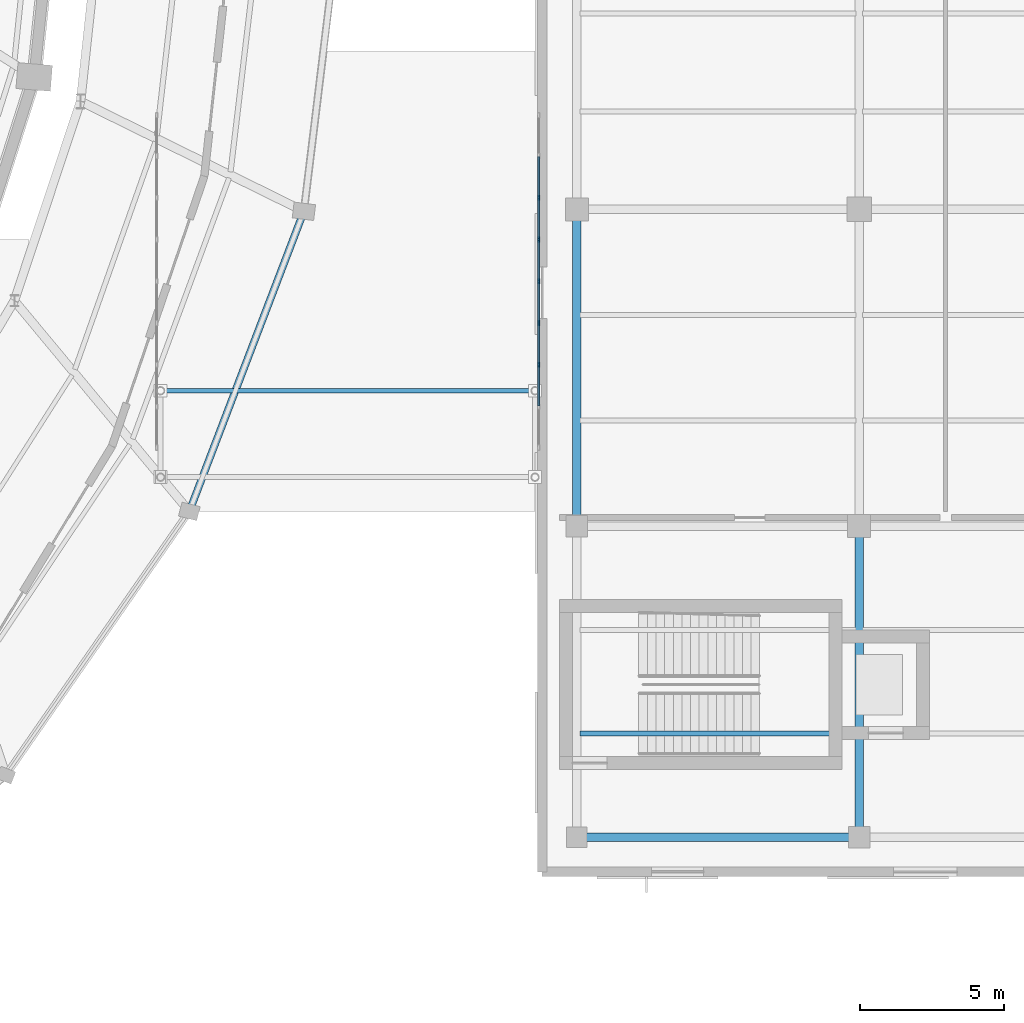
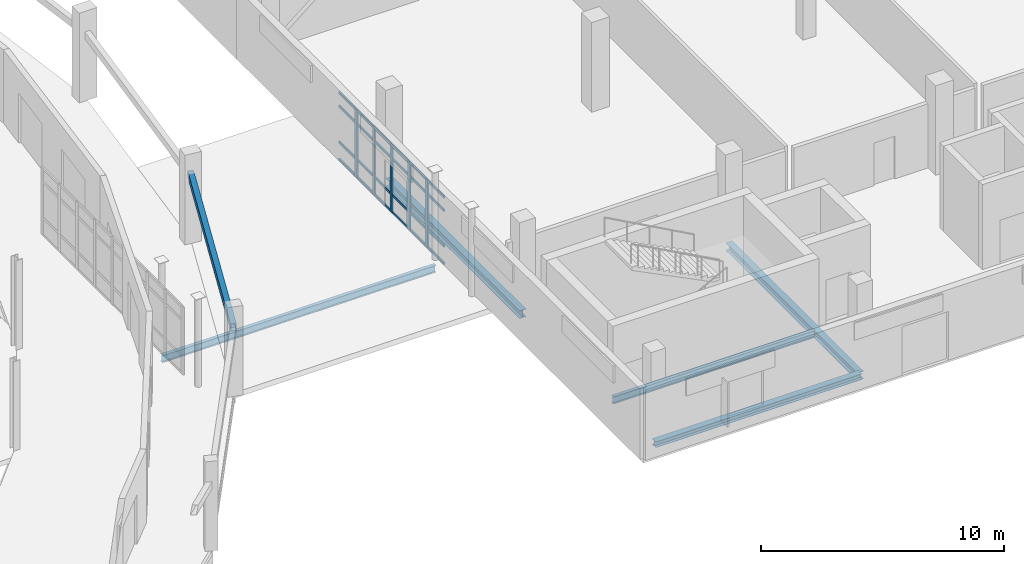
# One storey, part 69 of 122: 29 members, 6 beams, 1 element without a shape of its own.
"""IFC4 building model written with IfcOpenShell, lengths in metres."""

import ifcopenshell
import ifcopenshell.guid

model = None  # the IFC model being written
_history = None  # IfcOwnerHistory: only IFC2X3 demands one
_inside = {}  # id of a spatial element -> (the spatial element, [elements in it])
_under = {}  # id of a project, library or spatial element -> (it, [spatial elements below it])
_declared = {}  # id of a project -> (the project, [libraries it declares])
_typed = {}  # id of a type object -> (the type object, [elements of that type])
_made_of = {}  # id of a material, layer set ... -> (it, [elements and type objects made of it])


def new_model(schema):
    """Start an empty IFC model of exactly this schema.

    Asked for "IFC4X3", IfcOpenShell would pick the latest addendum, in which some entities
    have other attributes; the version numbers below select the first issue.
    IFC2X3 requires an IfcOwnerHistory on every rooted entity: one is made here for all.
    """
    global model, _history
    if schema == "IFC4X3":
        model = ifcopenshell.file(schema_version=(4, 3, 0, 0))
    else:
        model = ifcopenshell.file(schema=schema)
    _inside.clear()
    _under.clear()
    _declared.clear()
    _typed.clear()
    _made_of.clear()
    _history = None
    if model.schema == "IFC2X3":
        org = make("IfcOrganization", Name="unknown")
        user = make(
            "IfcPersonAndOrganization",
            ThePerson=make("IfcPerson", FamilyName="unknown"),
            TheOrganization=org,
        )
        app = make(
            "IfcApplication",
            ApplicationDeveloper=org,
            Version="unknown",
            ApplicationFullName="unknown",
            ApplicationIdentifier="unknown",
        )
        _history = make(
            "IfcOwnerHistory",
            OwningUser=user,
            OwningApplication=app,
            ChangeAction="ADDED",
            CreationDate=0,
        )
    return model


def make(cls, **values):
    """One entity of the class cls with the attributes given. An attribute that is None is left unset."""
    return model.create_entity(
        cls, **{name: value for name, value in values.items() if value is not None}
    )


def rooted(cls, **values):
    """An entity with a GlobalId (a new one), such as an element, a storey or a relation."""
    return make(cls, GlobalId=ifcopenshell.guid.new(), OwnerHistory=_history, **values)


def si_unit(unit_type, name, prefix=None):
    """IfcSIUnit, for example si_unit("LENGTHUNIT", "METRE", prefix="MILLI")."""
    return make("IfcSIUnit", UnitType=unit_type, Prefix=prefix, Name=name)


def assignment(units):
    """IfcUnitAssignment: the units of a project."""
    return None if units is None else make("IfcUnitAssignment", Units=units)


def point(xyz):
    """IfcCartesianPoint."""
    return None if xyz is None else make("IfcCartesianPoint", Coordinates=xyz)


def direction(xyz):
    """IfcDirection."""
    return None if xyz is None else make("IfcDirection", DirectionRatios=xyz)


def frame(location, z_axis=None, x_axis=None):
    """IfcAxis2Placement3D, a coordinate frame: its origin and axes. An axis left out is left unset."""
    return make(
        "IfcAxis2Placement3D",
        Location=point(location),
        Axis=direction(z_axis),
        RefDirection=direction(x_axis),
    )


def frame_2d(location, x_axis=None):
    """IfcAxis2Placement2D, a coordinate frame in the plane: its origin and x axis."""
    return make(
        "IfcAxis2Placement2D", Location=point(location), RefDirection=direction(x_axis)
    )


def origin():
    """The frame at (0, 0, 0) with its axes left unset."""
    return frame((0.0, 0.0, 0.0))


def origin_2d():
    """The frame at (0, 0) in the plane with its x axis left unset."""
    return frame_2d((0.0, 0.0))


def place(relative_to, where):
    """IfcLocalPlacement: puts the frame where relative to a parent placement (None: the world)."""
    return make(
        "IfcLocalPlacement", PlacementRelTo=relative_to, RelativePlacement=where
    )


def context(
    kind, dimensions, precision=None, world=None, true_north=None, identifier=None
):
    """IfcGeometricRepresentationContext, for example the 3D "Model" context."""
    return make(
        "IfcGeometricRepresentationContext",
        ContextIdentifier=identifier,
        ContextType=kind,
        CoordinateSpaceDimension=dimensions,
        Precision=precision,
        WorldCoordinateSystem=world,
        TrueNorth=true_north,
    )


def subcontext(parent, identifier, kind, view, scale=None):
    """IfcGeometricRepresentationSubContext, for example "Body" below "Model"."""
    return make(
        "IfcGeometricRepresentationSubContext",
        ContextIdentifier=identifier,
        ContextType=kind,
        ParentContext=parent,
        TargetScale=scale,
        TargetView=view,
    )


def project(units=None, contexts=None):
    """IfcProject with its units and contexts."""
    return rooted(
        "IfcProject",
        Name="project",
        RepresentationContexts=contexts,
        UnitsInContext=assignment(units),
    )


def spatial(cls, under=None, at=None, **own):
    """A site, building, storey or space (cls), placed at a placement, below another one or the project."""
    s = rooted(cls, ObjectPlacement=at, **own)
    if under is not None:
        _under.setdefault(under.id(), (under, []))[1].append(s)
    return s


def profile(cls, at=None, kind="AREA", **sizes):
    """A parametric profile (cls). Its sizes go by their IFC names, for example OverallWidth=200.0."""
    return make(cls, ProfileType=kind, Position=at, **sizes)


def rectangle(**sizes):
    """IfcRectangleProfileDef."""
    return profile("IfcRectangleProfileDef", **sizes)


def hollow_rectangle(**sizes):
    """IfcRectangleHollowProfileDef."""
    return profile("IfcRectangleHollowProfileDef", **sizes)


def i_section(**sizes):
    """IfcIShapeProfileDef."""
    return profile("IfcIShapeProfileDef", **sizes)


def extrude(swept, where, along, depth):
    """IfcExtrudedAreaSolid: the profile swept, set in the frame where, extruded along a direction by depth."""
    return make(
        "IfcExtrudedAreaSolid",
        SweptArea=swept,
        Position=where,
        ExtrudedDirection=direction(along),
        Depth=depth,
    )


def shape(context_of_items, identifier, shape_type, items):
    """IfcShapeRepresentation: the items that make up one representation, for example the "Body"."""
    return make(
        "IfcShapeRepresentation",
        ContextOfItems=context_of_items,
        RepresentationIdentifier=identifier,
        RepresentationType=shape_type,
        Items=items,
    )


def material(Name=None, Category=None):
    """IfcMaterial."""
    return make("IfcMaterial", Name=Name, Category=Category)


def layer(
    of_material, thickness, ventilated=None, Name=None, Category=None, Priority=None
):
    """IfcMaterialLayer: one layer of a wall or slab, of a material (None: an air gap)."""
    return make(
        "IfcMaterialLayer",
        Material=of_material,
        LayerThickness=thickness,
        IsVentilated=ventilated,
        Name=Name,
        Category=Category,
        Priority=Priority,
    )


def layer_set(layers, Name=None):
    """IfcMaterialLayerSet."""
    return make("IfcMaterialLayerSet", MaterialLayers=layers, LayerSetName=Name)


def material_profile(
    of_material, cross_section, Name=None, Category=None, Priority=None
):
    """IfcMaterialProfile: a cross section and its material."""
    return make(
        "IfcMaterialProfile",
        Name=Name,
        Material=of_material,
        Profile=cross_section,
        Priority=Priority,
        Category=Category,
    )


def profile_set(profiles, Name=None, composite=None):
    """IfcMaterialProfileSet."""
    return make(
        "IfcMaterialProfileSet",
        Name=Name,
        MaterialProfiles=profiles,
        CompositeProfile=composite,
    )


def made_of(thing, what):
    """Note that an element or type object is made of a material, layer set ...; save() writes the relation."""
    if what is not None:
        _made_of.setdefault(what.id(), (what, []))[1].append(thing)
    return thing


def type_object(cls, material=None, **own):
    """A type object (cls), such as IfcWallType, which elements share."""
    return made_of(rooted(cls, **own), material)


def element(
    cls,
    number,
    at=None,
    inside=None,
    cuts=None,
    type_object=None,
    material=None,
    context=None,
    identifier="Body",
    shape_type=None,
    held_by="IfcProductDefinitionShape",
    body=None,
    shapes=None,
    **own,
):
    """One element of the class cls, such as IfcWall. Its Tag is "e" and its number.

    at: its placement. inside: the storey or other place that contains it. cuts: it is an
    opening in that element (IfcRelVoidsElement). A single representation is given by context,
    identifier, shape_type and body (its items); several are given by shapes. held_by: the class
    of the entity that holds the representations. save() writes the other relations.
    """
    e = rooted(cls, Tag="e%d" % number, ObjectPlacement=at, **own)
    if body is not None:
        shapes = [shape(context, identifier, shape_type, body)]
    if shapes is not None:
        e.Representation = make(held_by, Representations=shapes)
    if inside is not None:
        _inside.setdefault(inside.id(), (inside, []))[1].append(e)
    if cuts is not None:
        rooted(
            "IfcRelVoidsElement", RelatingBuildingElement=cuts, RelatedOpeningElement=e
        )
    if type_object is not None:
        _typed.setdefault(type_object.id(), (type_object, []))[1].append(e)
    return made_of(e, material)


def aggregate(whole, parts):
    """IfcRelAggregates: a whole, such as a stair, and the parts it consists of."""
    return rooted("IfcRelAggregates", RelatingObject=whole, RelatedObjects=parts)


def save(model, path):
    """Write the relations noted so far, then the file.

    IfcRelAggregates (storeys below a building ...), IfcRelContainedInSpatialStructure (elements
    in a storey), IfcRelDefinesByType, IfcRelAssociatesMaterial and IfcRelDeclares: one each for
    every whole, place, type object, material and project.
    """
    for whole, parts in _under.values():
        aggregate(whole, parts)
    for where, things in _inside.values():
        rooted(
            "IfcRelContainedInSpatialStructure",
            RelatedElements=things,
            RelatingStructure=where,
        )
    for kind, things in _typed.values():
        rooted("IfcRelDefinesByType", RelatedObjects=things, RelatingType=kind)
    for what, things in _made_of.values():
        rooted("IfcRelAssociatesMaterial", RelatedObjects=things, RelatingMaterial=what)
    for by, libraries in _declared.values():
        rooted("IfcRelDeclares", RelatingContext=by, RelatedDefinitions=libraries)
    model.write(path)


model = new_model("IFC4")

# Units and contexts
model_context = context("Model", 3, precision=1e-05, world=origin(), true_north=direction((0.0, 1.0)))
body_context = subcontext(model_context, "Body", "Model", "MODEL_VIEW")
ifc_project = project(units=[si_unit("LENGTHUNIT", "METRE"), si_unit("AREAUNIT", "SQUARE_METRE"), si_unit("VOLUMEUNIT", "CUBIC_METRE"), si_unit("PLANEANGLEUNIT", "RADIAN"), si_unit("MASSUNIT", "GRAM", prefix="KILO")], contexts=[model_context])

# Site, building, storey
site_placement = place(None, origin())
site = spatial("IfcSite", under=ifc_project, at=site_placement, CompositionType="ELEMENT")
building_placement = place(site_placement, origin())
building = spatial("IfcBuilding", under=site, at=building_placement, Name="Sohan Crest Arena", CompositionType="ELEMENT")
storey_placement = place(building_placement, origin())
storey = spatial("IfcBuildingStorey", under=building, at=storey_placement, Name="L00", CompositionType="ELEMENT", Elevation=0.0)

# Curtain wall, members
ifc_material_1 = material(Name="Thermally broken anodised aluminium", Category="aluminium")
ifc_layer = layer(ifc_material_1, 0.18994140625, Name="Thermally broken anodised aluminium")
ifc_layer_set = layer_set([ifc_layer], Name="Thermally broken anodised aluminium")
curtain_wall_type = type_object("IfcCurtainWallType", Name="ARC-CW05", PredefinedType="NOTDEFINED", material=ifc_layer_set)
curtain_wall_placement = place(storey_placement, origin())
curtain_wall = element("IfcCurtainWall", 1, at=curtain_wall_placement, inside=storey, type_object=curtain_wall_type, Name="Unitised curtain wall CW-240", PredefinedType="NOTDEFINED")
ifc_material_profile_1 = material_profile(ifc_material_1, rectangle(XDim=0.06494140625, YDim=0.179931640625, at=origin_2d()), Name="ALU-MULL 65x180")
ifc_profile_set_1 = profile_set([ifc_material_profile_1], Name="Thermally broken anodised aluminium")
member_type_1 = type_object("IfcMemberType", Name="ARC-CW-ML02", PredefinedType="MULLION", material=ifc_profile_set_1)
member_1_placement = place(storey_placement, frame((194.8798828125, 61.60009765625, 0.0), z_axis=(0.0, 0.0, 1.0), x_axis=(-1.0, 0.0, 0.0)))
member_1 = element("IfcMember", 2, at=member_1_placement, type_object=member_type_1, Name="CW-240 mullion 3", PredefinedType="MULLION", context=body_context, shape_type="SweptSolid", body=[
    extrude(rectangle(XDim=0.06494140625, YDim=0.179931640625, at=origin_2d()), origin(), (0.0, 0.0, 1.0), 3.39990234375),
])
member_2_placement = place(storey_placement, frame((194.8798828125, 63.050048828125, 0.0), z_axis=(0.0, 0.0, 1.0), x_axis=(-1.0, 0.0, 0.0)))
member_2 = element("IfcMember", 3, at=member_2_placement, type_object=member_type_1, Name="CW-240 mullion 4", PredefinedType="MULLION", context=body_context, shape_type="SweptSolid", body=[
    extrude(rectangle(XDim=0.06494140625, YDim=0.179931640625, at=origin_2d()), origin(), (0.0, 0.0, 1.0), 3.39990234375),
])
member_3_placement = place(storey_placement, frame((194.8798828125, 64.5, 0.0), z_axis=(0.0, 0.0, 1.0), x_axis=(-1.0, 0.0, 0.0)))
member_3 = element("IfcMember", 4, at=member_3_placement, type_object=member_type_1, Name="CW-240 mullion 5", PredefinedType="MULLION", context=body_context, shape_type="SweptSolid", body=[
    extrude(rectangle(XDim=0.06494140625, YDim=0.179931640625, at=origin_2d()), origin(), (0.0, 0.0, 1.0), 3.39990234375),
])
member_4_placement = place(storey_placement, frame((194.8798828125, 65.949951171875, 0.0), z_axis=(0.0, 0.0, 1.0), x_axis=(-1.0, 0.0, 0.0)))
member_4 = element("IfcMember", 5, at=member_4_placement, type_object=member_type_1, Name="CW-240 mullion 6", PredefinedType="MULLION", context=body_context, shape_type="SweptSolid", body=[
    extrude(rectangle(XDim=0.06494140625, YDim=0.179931640625, at=origin_2d()), origin(), (0.0, 0.0, 1.0), 3.39990234375),
])
member_5_placement = place(storey_placement, frame((194.8798828125, 67.39990234375, 0.0), z_axis=(0.0, 0.0, 1.0), x_axis=(-1.0, 0.0, 0.0)))
member_5 = element("IfcMember", 6, at=member_5_placement, type_object=member_type_1, Name="CW-240 mullion 7", PredefinedType="MULLION", context=body_context, shape_type="SweptSolid", body=[
    extrude(rectangle(XDim=0.06494140625, YDim=0.179931640625, at=origin_2d()), origin(), (0.0, 0.0, 1.0), 3.39990234375),
])
ifc_material_profile_2 = material_profile(ifc_material_1, rectangle(XDim=0.06005859375, YDim=0.1201171875, at=origin_2d()), Name="ALU-TRAN 60x120")
ifc_profile_set_2 = profile_set([ifc_material_profile_2], Name="Thermally broken anodised aluminium")
member_type_2 = type_object("IfcMemberType", Name="ARC-CW-TR01", PredefinedType="USERDEFINED", material=ifc_profile_set_2)
member_6_placement = place(storey_placement, frame((194.8798828125, 60.1826171875, 0.030029296875), z_axis=(0.0, 1.0, 0.0), x_axis=(-1.0, 0.0, 0.0)))
member_6 = element("IfcMember", 7, at=member_6_placement, type_object=member_type_2, Name="CW-240 transom 2.1", ObjectType="TRANSOM", PredefinedType="USERDEFINED", context=body_context, shape_type="SweptSolid", body=[
    extrude(rectangle(XDim=0.06005859375, YDim=0.1201171875, at=origin_2d()), origin(), (0.0, 0.0, 1.0), 1.384765625),
])
member_7_placement = place(storey_placement, frame((194.8798828125, 60.1826171875, 0.89990234375), z_axis=(0.0, 1.0, 0.0), x_axis=(-1.0, 0.0, 0.0)))
member_7 = element("IfcMember", 8, at=member_7_placement, type_object=member_type_2, Name="CW-240 transom 2.2", ObjectType="TRANSOM", PredefinedType="USERDEFINED", context=body_context, shape_type="SweptSolid", body=[
    extrude(rectangle(XDim=0.06005859375, YDim=0.1201171875, at=origin_2d()), origin(), (0.0, 0.0, 1.0), 1.384765625),
])
member_8_placement = place(storey_placement, frame((194.8798828125, 60.1826171875, 2.699951171875), z_axis=(0.0, 1.0, 0.0), x_axis=(-1.0, 0.0, 0.0)))
member_8 = element("IfcMember", 9, at=member_8_placement, type_object=member_type_2, Name="CW-240 transom 2.3", ObjectType="TRANSOM", PredefinedType="USERDEFINED", context=body_context, shape_type="SweptSolid", body=[
    extrude(rectangle(XDim=0.06005859375, YDim=0.1201171875, at=origin_2d()), origin(), (0.0, 0.0, 1.0), 1.384765625),
])
member_9_placement = place(storey_placement, frame((194.8798828125, 60.1826171875, 3.3701171875), z_axis=(0.0, 1.0, 0.0), x_axis=(-1.0, 0.0, 0.0)))
member_9 = element("IfcMember", 10, at=member_9_placement, type_object=member_type_2, Name="CW-240 transom 2.4", ObjectType="TRANSOM", PredefinedType="USERDEFINED", context=body_context, shape_type="SweptSolid", body=[
    extrude(rectangle(XDim=0.06005859375, YDim=0.1201171875, at=origin_2d()), origin(), (0.0, 0.0, 1.0), 1.384765625),
])
member_10_placement = place(storey_placement, frame((194.8798828125, 61.632568359375, 0.030029296875), z_axis=(0.0, 1.0, 0.0), x_axis=(-1.0, 0.0, 0.0)))
member_10 = element("IfcMember", 11, at=member_10_placement, type_object=member_type_2, Name="CW-240 transom 3.1", ObjectType="TRANSOM", PredefinedType="USERDEFINED", context=body_context, shape_type="SweptSolid", body=[
    extrude(rectangle(XDim=0.06005859375, YDim=0.1201171875, at=origin_2d()), origin(), (0.0, 0.0, 1.0), 1.385009765625),
])
member_11_placement = place(storey_placement, frame((194.8798828125, 61.632568359375, 0.89990234375), z_axis=(0.0, 1.0, 0.0), x_axis=(-1.0, 0.0, 0.0)))
member_11 = element("IfcMember", 12, at=member_11_placement, type_object=member_type_2, Name="CW-240 transom 3.2", ObjectType="TRANSOM", PredefinedType="USERDEFINED", context=body_context, shape_type="SweptSolid", body=[
    extrude(rectangle(XDim=0.06005859375, YDim=0.1201171875, at=origin_2d()), origin(), (0.0, 0.0, 1.0), 1.385009765625),
])
member_12_placement = place(storey_placement, frame((194.8798828125, 61.632568359375, 2.699951171875), z_axis=(0.0, 1.0, 0.0), x_axis=(-1.0, 0.0, 0.0)))
member_12 = element("IfcMember", 13, at=member_12_placement, type_object=member_type_2, Name="CW-240 transom 3.3", ObjectType="TRANSOM", PredefinedType="USERDEFINED", context=body_context, shape_type="SweptSolid", body=[
    extrude(rectangle(XDim=0.06005859375, YDim=0.1201171875, at=origin_2d()), origin(), (0.0, 0.0, 1.0), 1.385009765625),
])
member_13_placement = place(storey_placement, frame((194.8798828125, 61.632568359375, 3.3701171875), z_axis=(0.0, 1.0, 0.0), x_axis=(-1.0, 0.0, 0.0)))
member_13 = element("IfcMember", 14, at=member_13_placement, type_object=member_type_2, Name="CW-240 transom 3.4", ObjectType="TRANSOM", PredefinedType="USERDEFINED", context=body_context, shape_type="SweptSolid", body=[
    extrude(rectangle(XDim=0.06005859375, YDim=0.1201171875, at=origin_2d()), origin(), (0.0, 0.0, 1.0), 1.385009765625),
])
member_14_placement = place(storey_placement, frame((194.8798828125, 63.08251953125, 0.030029296875), z_axis=(0.0, 1.0, 0.0), x_axis=(-1.0, 0.0, 0.0)))
member_14 = element("IfcMember", 15, at=member_14_placement, type_object=member_type_2, Name="CW-240 transom 4.1", ObjectType="TRANSOM", PredefinedType="USERDEFINED", context=body_context, shape_type="SweptSolid", body=[
    extrude(rectangle(XDim=0.06005859375, YDim=0.1201171875, at=origin_2d()), origin(), (0.0, 0.0, 1.0), 1.385009765625),
])
member_15_placement = place(storey_placement, frame((194.8798828125, 63.08251953125, 0.89990234375), z_axis=(0.0, 1.0, 0.0), x_axis=(-1.0, 0.0, 0.0)))
member_15 = element("IfcMember", 16, at=member_15_placement, type_object=member_type_2, Name="CW-240 transom 4.2", ObjectType="TRANSOM", PredefinedType="USERDEFINED", context=body_context, shape_type="SweptSolid", body=[
    extrude(rectangle(XDim=0.06005859375, YDim=0.1201171875, at=origin_2d()), origin(), (0.0, 0.0, 1.0), 1.385009765625),
])
member_16_placement = place(storey_placement, frame((194.8798828125, 63.08251953125, 2.699951171875), z_axis=(0.0, 1.0, 0.0), x_axis=(-1.0, 0.0, 0.0)))
member_16 = element("IfcMember", 17, at=member_16_placement, type_object=member_type_2, Name="CW-240 transom 4.3", ObjectType="TRANSOM", PredefinedType="USERDEFINED", context=body_context, shape_type="SweptSolid", body=[
    extrude(rectangle(XDim=0.06005859375, YDim=0.1201171875, at=origin_2d()), origin(), (0.0, 0.0, 1.0), 1.385009765625),
])
member_17_placement = place(storey_placement, frame((194.8798828125, 63.08251953125, 3.3701171875), z_axis=(0.0, 1.0, 0.0), x_axis=(-1.0, 0.0, 0.0)))
member_17 = element("IfcMember", 18, at=member_17_placement, type_object=member_type_2, Name="CW-240 transom 4.4", ObjectType="TRANSOM", PredefinedType="USERDEFINED", context=body_context, shape_type="SweptSolid", body=[
    extrude(rectangle(XDim=0.06005859375, YDim=0.1201171875, at=origin_2d()), origin(), (0.0, 0.0, 1.0), 1.385009765625),
])
member_18_placement = place(storey_placement, frame((194.8798828125, 64.532470703125, 0.030029296875), z_axis=(0.0, 1.0, 0.0), x_axis=(-1.0, 0.0, 0.0)))
member_18 = element("IfcMember", 19, at=member_18_placement, type_object=member_type_2, Name="CW-240 transom 5.1", ObjectType="TRANSOM", PredefinedType="USERDEFINED", context=body_context, shape_type="SweptSolid", body=[
    extrude(rectangle(XDim=0.06005859375, YDim=0.1201171875, at=origin_2d()), origin(), (0.0, 0.0, 1.0), 1.385009765625),
])
member_19_placement = place(storey_placement, frame((194.8798828125, 64.532470703125, 0.89990234375), z_axis=(0.0, 1.0, 0.0), x_axis=(-1.0, 0.0, 0.0)))
member_19 = element("IfcMember", 20, at=member_19_placement, type_object=member_type_2, Name="CW-240 transom 5.2", ObjectType="TRANSOM", PredefinedType="USERDEFINED", context=body_context, shape_type="SweptSolid", body=[
    extrude(rectangle(XDim=0.06005859375, YDim=0.1201171875, at=origin_2d()), origin(), (0.0, 0.0, 1.0), 1.385009765625),
])
member_20_placement = place(storey_placement, frame((194.8798828125, 64.532470703125, 2.699951171875), z_axis=(0.0, 1.0, 0.0), x_axis=(-1.0, 0.0, 0.0)))
member_20 = element("IfcMember", 21, at=member_20_placement, type_object=member_type_2, Name="CW-240 transom 5.3", ObjectType="TRANSOM", PredefinedType="USERDEFINED", context=body_context, shape_type="SweptSolid", body=[
    extrude(rectangle(XDim=0.06005859375, YDim=0.1201171875, at=origin_2d()), origin(), (0.0, 0.0, 1.0), 1.385009765625),
])
member_21_placement = place(storey_placement, frame((194.8798828125, 64.532470703125, 3.3701171875), z_axis=(0.0, 1.0, 0.0), x_axis=(-1.0, 0.0, 0.0)))
member_21 = element("IfcMember", 22, at=member_21_placement, type_object=member_type_2, Name="CW-240 transom 5.4", ObjectType="TRANSOM", PredefinedType="USERDEFINED", context=body_context, shape_type="SweptSolid", body=[
    extrude(rectangle(XDim=0.06005859375, YDim=0.1201171875, at=origin_2d()), origin(), (0.0, 0.0, 1.0), 1.385009765625),
])
member_22_placement = place(storey_placement, frame((194.8798828125, 65.982421875, 0.030029296875), z_axis=(0.0, 1.0, 0.0), x_axis=(-1.0, 0.0, 0.0)))
member_22 = element("IfcMember", 23, at=member_22_placement, type_object=member_type_2, Name="CW-240 transom 6.1", ObjectType="TRANSOM", PredefinedType="USERDEFINED", context=body_context, shape_type="SweptSolid", body=[
    extrude(rectangle(XDim=0.06005859375, YDim=0.1201171875, at=origin_2d()), origin(), (0.0, 0.0, 1.0), 1.385009765625),
])
member_23_placement = place(storey_placement, frame((194.8798828125, 65.982421875, 0.89990234375), z_axis=(0.0, 1.0, 0.0), x_axis=(-1.0, 0.0, 0.0)))
member_23 = element("IfcMember", 24, at=member_23_placement, type_object=member_type_2, Name="CW-240 transom 6.2", ObjectType="TRANSOM", PredefinedType="USERDEFINED", context=body_context, shape_type="SweptSolid", body=[
    extrude(rectangle(XDim=0.06005859375, YDim=0.1201171875, at=origin_2d()), origin(), (0.0, 0.0, 1.0), 1.385009765625),
])
member_24_placement = place(storey_placement, frame((194.8798828125, 65.982421875, 2.699951171875), z_axis=(0.0, 1.0, 0.0), x_axis=(-1.0, 0.0, 0.0)))
member_24 = element("IfcMember", 25, at=member_24_placement, type_object=member_type_2, Name="CW-240 transom 6.3", ObjectType="TRANSOM", PredefinedType="USERDEFINED", context=body_context, shape_type="SweptSolid", body=[
    extrude(rectangle(XDim=0.06005859375, YDim=0.1201171875, at=origin_2d()), origin(), (0.0, 0.0, 1.0), 1.385009765625),
])
member_25_placement = place(storey_placement, frame((194.8798828125, 65.982421875, 3.3701171875), z_axis=(0.0, 1.0, 0.0), x_axis=(-1.0, 0.0, 0.0)))
member_25 = element("IfcMember", 26, at=member_25_placement, type_object=member_type_2, Name="CW-240 transom 6.4", ObjectType="TRANSOM", PredefinedType="USERDEFINED", context=body_context, shape_type="SweptSolid", body=[
    extrude(rectangle(XDim=0.06005859375, YDim=0.1201171875, at=origin_2d()), origin(), (0.0, 0.0, 1.0), 1.385009765625),
])
member_26_placement = place(storey_placement, frame((194.8798828125, 67.4326171875, 0.030029296875), z_axis=(0.0, 1.0, 0.0), x_axis=(-1.0, 0.0, 0.0)))
member_26 = element("IfcMember", 27, at=member_26_placement, type_object=member_type_2, Name="CW-240 transom 7.1", ObjectType="TRANSOM", PredefinedType="USERDEFINED", context=body_context, shape_type="SweptSolid", body=[
    extrude(rectangle(XDim=0.06005859375, YDim=0.1201171875, at=origin_2d()), origin(), (0.0, 0.0, 1.0), 1.384765625),
])
member_27_placement = place(storey_placement, frame((194.8798828125, 67.4326171875, 0.89990234375), z_axis=(0.0, 1.0, 0.0), x_axis=(-1.0, 0.0, 0.0)))
member_27 = element("IfcMember", 28, at=member_27_placement, type_object=member_type_2, Name="CW-240 transom 7.2", ObjectType="TRANSOM", PredefinedType="USERDEFINED", context=body_context, shape_type="SweptSolid", body=[
    extrude(rectangle(XDim=0.06005859375, YDim=0.1201171875, at=origin_2d()), origin(), (0.0, 0.0, 1.0), 1.384765625),
])
member_28_placement = place(storey_placement, frame((194.8798828125, 67.4326171875, 2.699951171875), z_axis=(0.0, 1.0, 0.0), x_axis=(-1.0, 0.0, 0.0)))
member_28 = element("IfcMember", 29, at=member_28_placement, type_object=member_type_2, Name="CW-240 transom 7.3", ObjectType="TRANSOM", PredefinedType="USERDEFINED", context=body_context, shape_type="SweptSolid", body=[
    extrude(rectangle(XDim=0.06005859375, YDim=0.1201171875, at=origin_2d()), origin(), (0.0, 0.0, 1.0), 1.384765625),
])
member_29_placement = place(storey_placement, frame((194.8798828125, 67.4326171875, 3.3701171875), z_axis=(0.0, 1.0, 0.0), x_axis=(-1.0, 0.0, 0.0)))
member_29 = element("IfcMember", 30, at=member_29_placement, type_object=member_type_2, Name="CW-240 transom 7.4", ObjectType="TRANSOM", PredefinedType="USERDEFINED", context=body_context, shape_type="SweptSolid", body=[
    extrude(rectangle(XDim=0.06005859375, YDim=0.1201171875, at=origin_2d()), origin(), (0.0, 0.0, 1.0), 1.384765625),
])
aggregate(curtain_wall, [member_1, member_2, member_3, member_4, member_5, member_6, member_7, member_8, member_9, member_10, member_11, member_12, member_13, member_14, member_15, member_16, member_17, member_18, member_19, member_20, member_21, member_22, member_23, member_24, member_25, member_26, member_27, member_28, member_29])

# Beams
ifc_material_2 = material(Name="Steel S355", Category="steel")
ifc_material_profile_3 = material_profile(ifc_material_2, i_section(OverallWidth=0.169921875, OverallDepth=0.360107421875, WebThickness=0.008056640625, FlangeThickness=0.0126953125, at=origin_2d()), Name="IPE 360")
ifc_profile_set_3 = profile_set([ifc_material_profile_3], Name="Steel S355")
beam_type_1 = type_object("IfcBeamType", Name="STR-BM-B02", PredefinedType="JOIST", material=ifc_profile_set_3)
beam_1_placement = place(storey_placement, frame((196.31005859375, 48.800048828125, -0.409912109375), z_axis=(1.0, 0.0, 0.0), x_axis=(0.0, 1.0, 0.0)))
element("IfcBeam", 31, at=beam_1_placement, inside=storey, type_object=beam_type_1, Name="Structural beam J-L00-2208", PredefinedType="JOIST", context=body_context, shape_type="SweptSolid", body=[
    extrude(i_section(OverallWidth=0.169921875, OverallDepth=0.360107421875, WebThickness=0.008056640625, FlangeThickness=0.0126953125, at=origin_2d()), origin(), (0.0, 0.0, 1.0), 9.579833984375),
])
beam_2_placement = place(storey_placement, frame((181.75, 60.699951171875, -0.455078125), z_axis=(1.0, 0.0, 0.0), x_axis=(0.0, 1.0, 0.0)))
element("IfcBeam", 32, at=beam_2_placement, inside=storey, type_object=beam_type_1, Name="Structural beam BG-L00-2963", PredefinedType="JOIST", context=body_context, shape_type="SweptSolid", body=[
    extrude(i_section(OverallWidth=0.169921875, OverallDepth=0.360107421875, WebThickness=0.008056640625, FlangeThickness=0.0126953125, at=origin_2d()), origin(), (0.0, 0.0, 1.0), 13.0),
])
ifc_material_profile_4 = material_profile(ifc_material_2, i_section(OverallWidth=0.300048828125, OverallDepth=0.2900390625, WebThickness=0.008544921875, FlangeThickness=0.013916015625, at=origin_2d()), Name="HEA 300")
ifc_profile_set_4 = profile_set([ifc_material_profile_4], Name="Steel S355")
beam_type_2 = type_object("IfcBeamType", Name="STR-BM-B08", PredefinedType="BEAM", material=ifc_profile_set_4)
beam_3_placement = place(storey_placement, frame((196.199951171875, 45.199951171875, -0.375), z_axis=(1.0, 0.0, 0.0), x_axis=(0.0, 1.0, 0.0)))
element("IfcBeam", 33, at=beam_3_placement, inside=storey, type_object=beam_type_2, Name="Structural beam G-L00-2207", PredefinedType="BEAM", context=body_context, shape_type="SweptSolid", body=[
    extrude(i_section(OverallWidth=0.300048828125, OverallDepth=0.2900390625, WebThickness=0.008544921875, FlangeThickness=0.013916015625, at=origin_2d()), origin(), (0.0, 0.0, 1.0), 9.800048828125),
])
ifc_material_profile_5 = material_profile(ifc_material_2, i_section(OverallWidth=0.300048828125, OverallDepth=0.389892578125, WebThickness=0.010986328125, FlangeThickness=0.01904296875, at=origin_2d()), Name="HEA 400")
ifc_profile_set_5 = profile_set([ifc_material_profile_5], Name="Steel S355")
beam_type_3 = type_object("IfcBeamType", Name="STR-BM-B09", PredefinedType="BEAM", material=ifc_profile_set_5)
beam_4_placement = place(storey_placement, frame((196.199951171875, 56.0, -0.425048828125), z_axis=(0.0, 1.0, 0.0), x_axis=(-1.0, 0.0, 0.0)))
element("IfcBeam", 34, at=beam_4_placement, inside=storey, type_object=beam_type_3, Name="Structural beam G-L00-2184", PredefinedType="BEAM", context=body_context, shape_type="SweptSolid", body=[
    extrude(i_section(OverallWidth=0.300048828125, OverallDepth=0.389892578125, WebThickness=0.010986328125, FlangeThickness=0.01904296875, at=origin_2d()), origin(), (0.0, 0.0, 1.0), 11.0),
])
beam_5_placement = place(storey_placement, frame((206.0, 45.199951171875, -0.425048828125), z_axis=(0.0, 1.0, 0.0), x_axis=(-1.0, 0.0, 0.0)))
element("IfcBeam", 35, at=beam_5_placement, inside=storey, type_object=beam_type_3, Name="Structural beam G-L00-2189", PredefinedType="BEAM", context=body_context, shape_type="SweptSolid", body=[
    extrude(i_section(OverallWidth=0.300048828125, OverallDepth=0.389892578125, WebThickness=0.010986328125, FlangeThickness=0.01904296875, at=origin_2d()), origin(), (0.0, 0.0, 1.0), 10.800048828125),
])
ifc_material_profile_6 = material_profile(ifc_material_2, hollow_rectangle(XDim=0.25, YDim=0.35009765625, WallThickness=0.012451171875, at=origin_2d()), Name="RHS 350x250x12.5")
ifc_profile_set_6 = profile_set([ifc_material_profile_6], Name="Steel S355")
beam_type_4 = type_object("IfcBeamType", Name="STR-BM-SP04", PredefinedType="SPANDREL", material=ifc_profile_set_6)
beam_6_placement = place(storey_placement, frame((182.7490234375, 56.510986328125, 3.300048828125), z_axis=(0.356539672716, 0.934280183767, 0.0), x_axis=(-0.934280183767, 0.356539672716, 0.0)))
element("IfcBeam", 36, at=beam_6_placement, inside=storey, type_object=beam_type_4, Name="Structural beam ARC-L00-1017", PredefinedType="SPANDREL", context=body_context, shape_type="SweptSolid", body=[
    extrude(hollow_rectangle(XDim=0.25, YDim=0.35009765625, WallThickness=0.012451171875, at=origin_2d()), origin(), (0.0, 0.0, 1.0), 11.15185546875),
])

save(model, "model.ifc")
